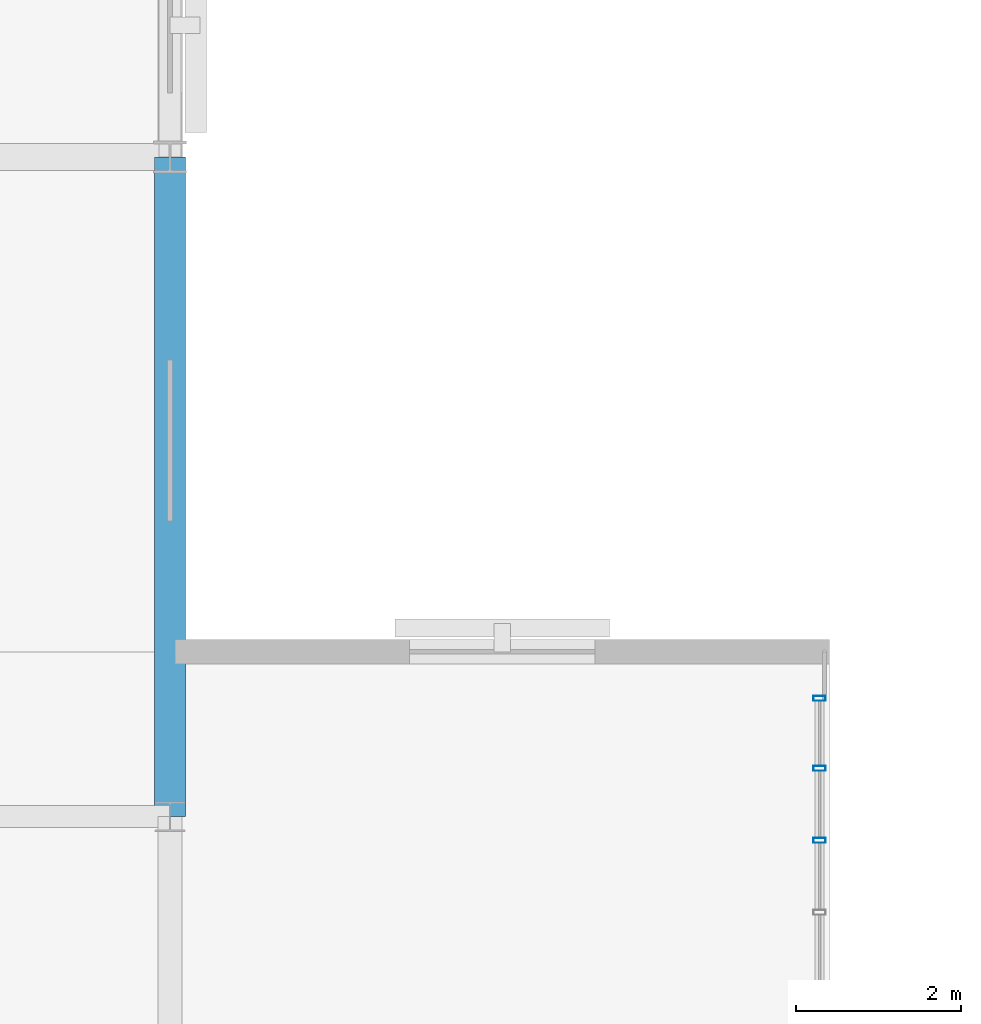
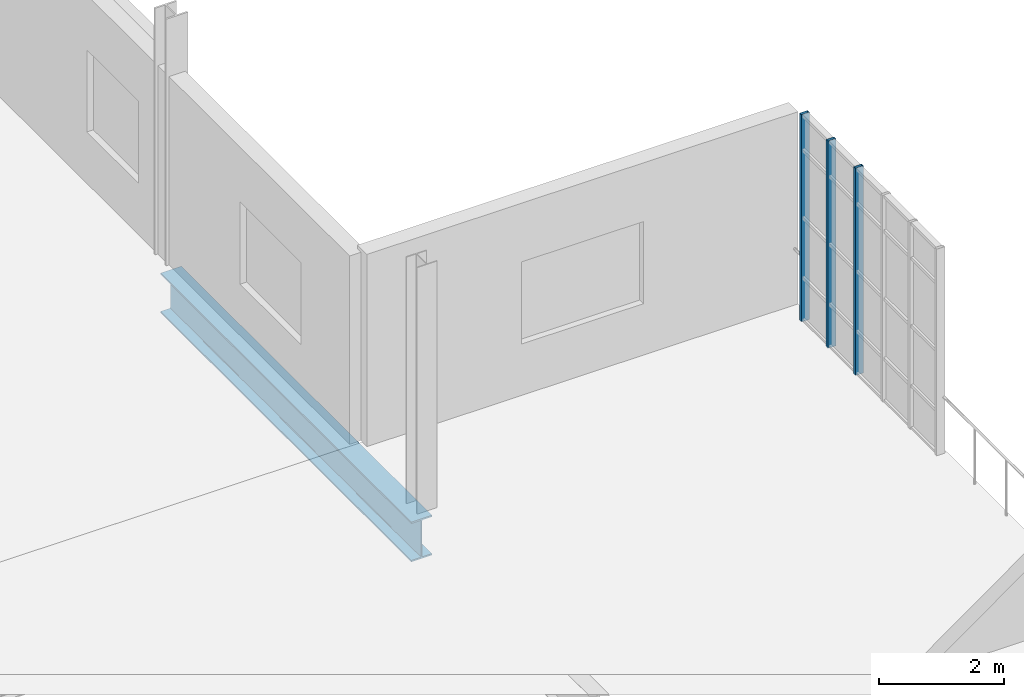
# One storey, part 41 of 122: 3 members, 1 beam, 1 element without a shape of its own.
"""IFC4 building model written with IfcOpenShell, lengths in metres."""

import ifcopenshell
import ifcopenshell.guid

model = None  # the IFC model being written
_history = None  # IfcOwnerHistory: only IFC2X3 demands one
_inside = {}  # id of a spatial element -> (the spatial element, [elements in it])
_under = {}  # id of a project, library or spatial element -> (it, [spatial elements below it])
_declared = {}  # id of a project -> (the project, [libraries it declares])
_typed = {}  # id of a type object -> (the type object, [elements of that type])
_made_of = {}  # id of a material, layer set ... -> (it, [elements and type objects made of it])


def new_model(schema):
    """Start an empty IFC model of exactly this schema.

    Asked for "IFC4X3", IfcOpenShell would pick the latest addendum, in which some entities
    have other attributes; the version numbers below select the first issue.
    IFC2X3 requires an IfcOwnerHistory on every rooted entity: one is made here for all.
    """
    global model, _history
    if schema == "IFC4X3":
        model = ifcopenshell.file(schema_version=(4, 3, 0, 0))
    else:
        model = ifcopenshell.file(schema=schema)
    _inside.clear()
    _under.clear()
    _declared.clear()
    _typed.clear()
    _made_of.clear()
    _history = None
    if model.schema == "IFC2X3":
        org = make("IfcOrganization", Name="unknown")
        user = make(
            "IfcPersonAndOrganization",
            ThePerson=make("IfcPerson", FamilyName="unknown"),
            TheOrganization=org,
        )
        app = make(
            "IfcApplication",
            ApplicationDeveloper=org,
            Version="unknown",
            ApplicationFullName="unknown",
            ApplicationIdentifier="unknown",
        )
        _history = make(
            "IfcOwnerHistory",
            OwningUser=user,
            OwningApplication=app,
            ChangeAction="ADDED",
            CreationDate=0,
        )
    return model


def make(cls, **values):
    """One entity of the class cls with the attributes given. An attribute that is None is left unset."""
    return model.create_entity(
        cls, **{name: value for name, value in values.items() if value is not None}
    )


def rooted(cls, **values):
    """An entity with a GlobalId (a new one), such as an element, a storey or a relation."""
    return make(cls, GlobalId=ifcopenshell.guid.new(), OwnerHistory=_history, **values)


def si_unit(unit_type, name, prefix=None):
    """IfcSIUnit, for example si_unit("LENGTHUNIT", "METRE", prefix="MILLI")."""
    return make("IfcSIUnit", UnitType=unit_type, Prefix=prefix, Name=name)


def assignment(units):
    """IfcUnitAssignment: the units of a project."""
    return None if units is None else make("IfcUnitAssignment", Units=units)


def point(xyz):
    """IfcCartesianPoint."""
    return None if xyz is None else make("IfcCartesianPoint", Coordinates=xyz)


def direction(xyz):
    """IfcDirection."""
    return None if xyz is None else make("IfcDirection", DirectionRatios=xyz)


def frame(location, z_axis=None, x_axis=None):
    """IfcAxis2Placement3D, a coordinate frame: its origin and axes. An axis left out is left unset."""
    return make(
        "IfcAxis2Placement3D",
        Location=point(location),
        Axis=direction(z_axis),
        RefDirection=direction(x_axis),
    )


def frame_2d(location, x_axis=None):
    """IfcAxis2Placement2D, a coordinate frame in the plane: its origin and x axis."""
    return make(
        "IfcAxis2Placement2D", Location=point(location), RefDirection=direction(x_axis)
    )


def origin():
    """The frame at (0, 0, 0) with its axes left unset."""
    return frame((0.0, 0.0, 0.0))


def origin_2d():
    """The frame at (0, 0) in the plane with its x axis left unset."""
    return frame_2d((0.0, 0.0))


def place(relative_to, where):
    """IfcLocalPlacement: puts the frame where relative to a parent placement (None: the world)."""
    return make(
        "IfcLocalPlacement", PlacementRelTo=relative_to, RelativePlacement=where
    )


def context(
    kind, dimensions, precision=None, world=None, true_north=None, identifier=None
):
    """IfcGeometricRepresentationContext, for example the 3D "Model" context."""
    return make(
        "IfcGeometricRepresentationContext",
        ContextIdentifier=identifier,
        ContextType=kind,
        CoordinateSpaceDimension=dimensions,
        Precision=precision,
        WorldCoordinateSystem=world,
        TrueNorth=true_north,
    )


def subcontext(parent, identifier, kind, view, scale=None):
    """IfcGeometricRepresentationSubContext, for example "Body" below "Model"."""
    return make(
        "IfcGeometricRepresentationSubContext",
        ContextIdentifier=identifier,
        ContextType=kind,
        ParentContext=parent,
        TargetScale=scale,
        TargetView=view,
    )


def project(units=None, contexts=None):
    """IfcProject with its units and contexts."""
    return rooted(
        "IfcProject",
        Name="project",
        RepresentationContexts=contexts,
        UnitsInContext=assignment(units),
    )


def spatial(cls, under=None, at=None, **own):
    """A site, building, storey or space (cls), placed at a placement, below another one or the project."""
    s = rooted(cls, ObjectPlacement=at, **own)
    if under is not None:
        _under.setdefault(under.id(), (under, []))[1].append(s)
    return s


def profile(cls, at=None, kind="AREA", **sizes):
    """A parametric profile (cls). Its sizes go by their IFC names, for example OverallWidth=200.0."""
    return make(cls, ProfileType=kind, Position=at, **sizes)


def hollow_rectangle(**sizes):
    """IfcRectangleHollowProfileDef."""
    return profile("IfcRectangleHollowProfileDef", **sizes)


def i_section(**sizes):
    """IfcIShapeProfileDef."""
    return profile("IfcIShapeProfileDef", **sizes)


def extrude(swept, where, along, depth):
    """IfcExtrudedAreaSolid: the profile swept, set in the frame where, extruded along a direction by depth."""
    return make(
        "IfcExtrudedAreaSolid",
        SweptArea=swept,
        Position=where,
        ExtrudedDirection=direction(along),
        Depth=depth,
    )


def shape(context_of_items, identifier, shape_type, items):
    """IfcShapeRepresentation: the items that make up one representation, for example the "Body"."""
    return make(
        "IfcShapeRepresentation",
        ContextOfItems=context_of_items,
        RepresentationIdentifier=identifier,
        RepresentationType=shape_type,
        Items=items,
    )


def material(Name=None, Category=None):
    """IfcMaterial."""
    return make("IfcMaterial", Name=Name, Category=Category)


def layer(
    of_material, thickness, ventilated=None, Name=None, Category=None, Priority=None
):
    """IfcMaterialLayer: one layer of a wall or slab, of a material (None: an air gap)."""
    return make(
        "IfcMaterialLayer",
        Material=of_material,
        LayerThickness=thickness,
        IsVentilated=ventilated,
        Name=Name,
        Category=Category,
        Priority=Priority,
    )


def layer_set(layers, Name=None):
    """IfcMaterialLayerSet."""
    return make("IfcMaterialLayerSet", MaterialLayers=layers, LayerSetName=Name)


def material_profile(
    of_material, cross_section, Name=None, Category=None, Priority=None
):
    """IfcMaterialProfile: a cross section and its material."""
    return make(
        "IfcMaterialProfile",
        Name=Name,
        Material=of_material,
        Profile=cross_section,
        Priority=Priority,
        Category=Category,
    )


def profile_set(profiles, Name=None, composite=None):
    """IfcMaterialProfileSet."""
    return make(
        "IfcMaterialProfileSet",
        Name=Name,
        MaterialProfiles=profiles,
        CompositeProfile=composite,
    )


def made_of(thing, what):
    """Note that an element or type object is made of a material, layer set ...; save() writes the relation."""
    if what is not None:
        _made_of.setdefault(what.id(), (what, []))[1].append(thing)
    return thing


def type_object(cls, material=None, **own):
    """A type object (cls), such as IfcWallType, which elements share."""
    return made_of(rooted(cls, **own), material)


def element(
    cls,
    number,
    at=None,
    inside=None,
    cuts=None,
    type_object=None,
    material=None,
    context=None,
    identifier="Body",
    shape_type=None,
    held_by="IfcProductDefinitionShape",
    body=None,
    shapes=None,
    **own,
):
    """One element of the class cls, such as IfcWall. Its Tag is "e" and its number.

    at: its placement. inside: the storey or other place that contains it. cuts: it is an
    opening in that element (IfcRelVoidsElement). A single representation is given by context,
    identifier, shape_type and body (its items); several are given by shapes. held_by: the class
    of the entity that holds the representations. save() writes the other relations.
    """
    e = rooted(cls, Tag="e%d" % number, ObjectPlacement=at, **own)
    if body is not None:
        shapes = [shape(context, identifier, shape_type, body)]
    if shapes is not None:
        e.Representation = make(held_by, Representations=shapes)
    if inside is not None:
        _inside.setdefault(inside.id(), (inside, []))[1].append(e)
    if cuts is not None:
        rooted(
            "IfcRelVoidsElement", RelatingBuildingElement=cuts, RelatedOpeningElement=e
        )
    if type_object is not None:
        _typed.setdefault(type_object.id(), (type_object, []))[1].append(e)
    return made_of(e, material)


def aggregate(whole, parts):
    """IfcRelAggregates: a whole, such as a stair, and the parts it consists of."""
    return rooted("IfcRelAggregates", RelatingObject=whole, RelatedObjects=parts)


def save(model, path):
    """Write the relations noted so far, then the file.

    IfcRelAggregates (storeys below a building ...), IfcRelContainedInSpatialStructure (elements
    in a storey), IfcRelDefinesByType, IfcRelAssociatesMaterial and IfcRelDeclares: one each for
    every whole, place, type object, material and project.
    """
    for whole, parts in _under.values():
        aggregate(whole, parts)
    for where, things in _inside.values():
        rooted(
            "IfcRelContainedInSpatialStructure",
            RelatedElements=things,
            RelatingStructure=where,
        )
    for kind, things in _typed.values():
        rooted("IfcRelDefinesByType", RelatedObjects=things, RelatingType=kind)
    for what, things in _made_of.values():
        rooted("IfcRelAssociatesMaterial", RelatedObjects=things, RelatingMaterial=what)
    for by, libraries in _declared.values():
        rooted("IfcRelDeclares", RelatingContext=by, RelatedDefinitions=libraries)
    model.write(path)


model = new_model("IFC4")

# Units and contexts
model_context = context("Model", 3, precision=1e-05, world=origin(), true_north=direction((0.0, 1.0)))
body_context = subcontext(model_context, "Body", "Model", "MODEL_VIEW")
ifc_project = project(units=[si_unit("LENGTHUNIT", "METRE"), si_unit("AREAUNIT", "SQUARE_METRE"), si_unit("VOLUMEUNIT", "CUBIC_METRE"), si_unit("PLANEANGLEUNIT", "RADIAN"), si_unit("MASSUNIT", "GRAM", prefix="KILO"), si_unit("THERMODYNAMICTEMPERATUREUNIT", "KELVIN"), si_unit("POWERUNIT", "WATT")], contexts=[model_context])

# Site, building, storey
site_placement = place(None, origin())
site = spatial("IfcSite", under=ifc_project, at=site_placement, CompositionType="ELEMENT")
building_placement = place(site_placement, origin())
building = spatial("IfcBuilding", under=site, at=building_placement, Name="Zelmaris Science Centre", CompositionType="ELEMENT")
storey_placement = place(building_placement, frame((0.0, 0.0, 10.800048828125)))
storey = spatial("IfcBuildingStorey", under=building, at=storey_placement, Name="L02", CompositionType="ELEMENT", Elevation=10.800048828125)

# Curtain wall, members
ifc_material_1 = material(Name="Anodised architectural aluminium 6063-T6", Category="aluminium")
ifc_layer = layer(ifc_material_1, 0.219970703125, Name="Anodised architectural aluminium 6063-T6")
ifc_layer_set = layer_set([ifc_layer], Name="Anodised architectural aluminium 6063-T6")
curtain_wall_type = type_object("IfcCurtainWallType", Name="Curtain Wall CW-04", PredefinedType="USERDEFINED", material=ifc_layer_set)
curtain_wall_placement = place(storey_placement, origin())
curtain_wall = element("IfcCurtainWall", 1, at=curtain_wall_placement, inside=storey, type_object=curtain_wall_type, Name="L02 Unitised curtain wall 216", ObjectType="GLAZED CURTAIN WALL", PredefinedType="USERDEFINED")
ifc_material_profile_1 = material_profile(ifc_material_1, hollow_rectangle(XDim=0.06005859375, YDim=0.14990234375, WallThickness=0.00341796875, at=origin_2d()), Name="ALU-MUL-60X150")
ifc_profile_set_1 = profile_set([ifc_material_profile_1], Name="Anodised architectural aluminium 6063-T6")
member_type = type_object("IfcMemberType", Name="ALU-MUL-60X150", PredefinedType="MULLION", material=ifc_profile_set_1)
member_1_placement = place(storey_placement, frame((115.8798828125, 65.433837890625, -0.01513671875), z_axis=(0.0, 0.0, 1.0), x_axis=(6.981317e-06, -0.999999999976, 0.0)))
member_1 = element("IfcMember", 2, at=member_1_placement, type_object=member_type, Name="CW-04 mullion 1", PredefinedType="MULLION", context=body_context, shape_type="SweptSolid", body=[
    extrude(hollow_rectangle(XDim=0.06005859375, YDim=0.14990234375, WallThickness=0.00341796875, at=origin_2d()), origin(), (0.0, 0.0, 1.0), 4.03515625),
])
member_2_placement = place(storey_placement, frame((115.8798828125, 64.5859375, -0.01513671875), z_axis=(0.0, 0.0, 1.0), x_axis=(6.981317e-06, -0.999999999976, 0.0)))
member_2 = element("IfcMember", 3, at=member_2_placement, type_object=member_type, Name="CW-04 mullion 2", PredefinedType="MULLION", context=body_context, shape_type="SweptSolid", body=[
    extrude(hollow_rectangle(XDim=0.06005859375, YDim=0.14990234375, WallThickness=0.00341796875, at=origin_2d()), origin(), (0.0, 0.0, 1.0), 4.03515625),
])
member_3_placement = place(storey_placement, frame((115.8798828125, 63.7119140625, -0.01513671875), z_axis=(0.0, 0.0, 1.0), x_axis=(6.981317e-06, -0.999999999976, 0.0)))
member_3 = element("IfcMember", 4, at=member_3_placement, type_object=member_type, Name="CW-04 mullion 3", PredefinedType="MULLION", context=body_context, shape_type="SweptSolid", body=[
    extrude(hollow_rectangle(XDim=0.06005859375, YDim=0.14990234375, WallThickness=0.00341796875, at=origin_2d()), origin(), (0.0, 0.0, 1.0), 4.03515625),
])
aggregate(curtain_wall, [member_1, member_2, member_3])

# Beam
ifc_material_2 = material(Name="Steel ASTM A992 Grade 50", Category="steel")
ifc_material_profile_2 = material_profile(ifc_material_2, i_section(OverallWidth=0.381103515625, OverallDepth=0.777099609375, WebThickness=0.01806640625, FlangeThickness=0.030029296875, FilletRadius=0.01904296875, at=origin_2d()), Name="W30X191")
ifc_profile_set_2 = profile_set([ifc_material_profile_2], Name="Steel ASTM A992 Grade 50")
beam_type = type_object("IfcBeamType", Name="Beam G-31 W30X191", PredefinedType="BEAM", material=ifc_profile_set_2)
beam_placement = place(storey_placement, frame((108.0, 64.0, -0.6484375), z_axis=(0.0, 1.0, 0.0), x_axis=(-1.0, 0.0, 0.0)))
element("IfcBeam", 5, at=beam_placement, inside=storey, type_object=beam_type, Name="L02 North-south girder 516", PredefinedType="BEAM", context=body_context, shape_type="SweptSolid", body=[
    extrude(i_section(OverallWidth=0.381103515625, OverallDepth=0.777099609375, WebThickness=0.01806640625, FlangeThickness=0.030029296875, FilletRadius=0.01904296875, at=origin_2d()), origin(), (0.0, 0.0, 1.0), 8.0),
])

save(model, "model.ifc")
